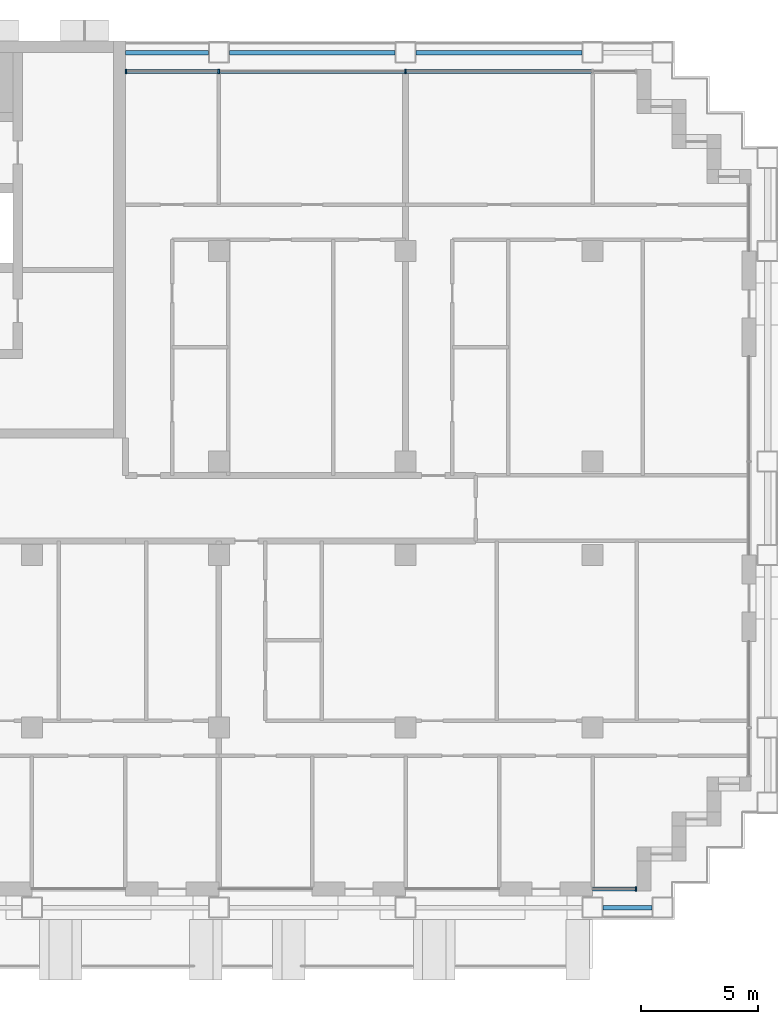
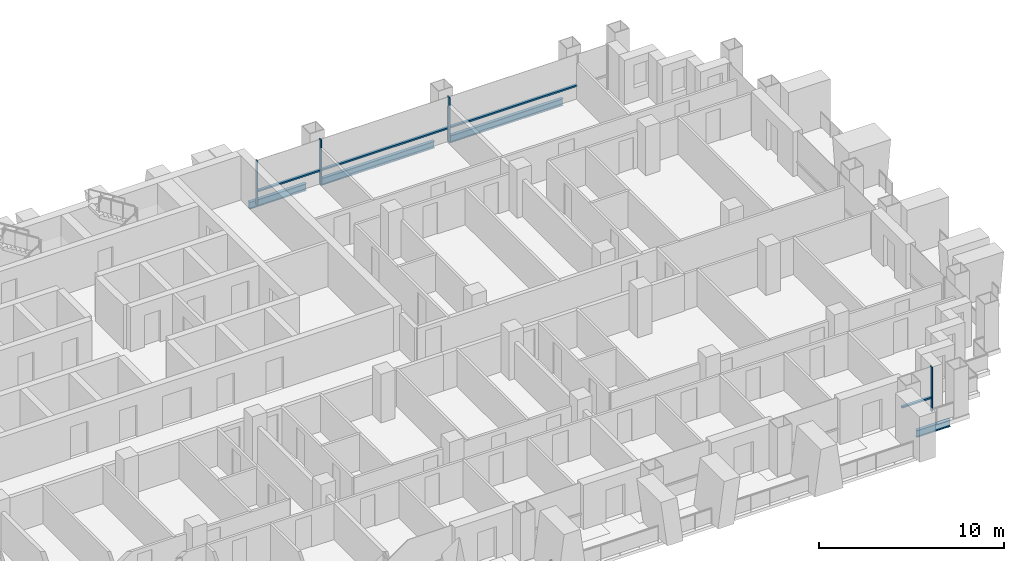
# One storey, part 5 of 18: 8 members, 4 beams, 2 elements without a shape of their own.
"""IFC4 building model written with IfcOpenShell, lengths in metres."""

from ifc_helpers import new_model, si_unit, direction, frame, origin, origin_2d, place, context, subcontext, project, spatial, rectangle, i_section, extrude, material, material_profile, profile_set, type_object, element, aggregate, save


model = new_model("IFC4")

# Units and contexts
model_context = context("Model", 3, precision=1e-05, world=origin(), true_north=direction((0.0, 1.0)))
body_context = subcontext(model_context, "Body", "Model", "MODEL_VIEW")
ifc_project = project(units=[si_unit("LENGTHUNIT", "METRE"), si_unit("AREAUNIT", "SQUARE_METRE"), si_unit("VOLUMEUNIT", "CUBIC_METRE"), si_unit("PLANEANGLEUNIT", "RADIAN"), si_unit("MASSUNIT", "GRAM", prefix="KILO")], contexts=[model_context])

# Site, building, storey
site_placement = place(None, origin())
site = spatial("IfcSite", under=ifc_project, at=site_placement, CompositionType="ELEMENT")
building_placement = place(site_placement, origin())
building = spatial("IfcBuilding", under=site, at=building_placement, Name="Vidyagriha Tower", CompositionType="ELEMENT")
storey_placement = place(building_placement, frame((0.0, 0.0, 90.300048828125)))
storey = spatial("IfcBuildingStorey", under=building, at=storey_placement, Name="L23", CompositionType="ELEMENT", Elevation=90.300048828125)

# Beams
ifc_material_1 = material(Name="Steel ASTM A992 Grade 50", Category="steel")
ifc_material_profile_1 = material_profile(ifc_material_1, i_section(OverallWidth=0.19189453125, OverallDepth=0.46240234375, WebThickness=0.010498046875, FlangeThickness=0.017578125, at=origin_2d()), Name="W18X60")
ifc_profile_set_1 = profile_set([ifc_material_profile_1], Name="Steel ASTM A992 Grade 50")
beam_type = type_object("IfcBeamType", Name="Edge beam W18X60", PredefinedType="SPANDREL", material=ifc_profile_set_1)
beam_1_placement = place(storey_placement, frame((34.449951171875, -17.10009765625, -0.51123046875), z_axis=(1.0, 0.0, 0.0), x_axis=(0.0, 1.0, 0.0)))
element("IfcBeam", 1, at=beam_1_placement, inside=storey, type_object=beam_type, Name="st-beam-L23-S09", PredefinedType="SPANDREL", context=body_context, shape_type="SweptSolid", body=[
    extrude(i_section(OverallWidth=0.19189453125, OverallDepth=0.46240234375, WebThickness=0.010498046875, FlangeThickness=0.017578125, at=origin_2d()), origin(), (0.0, 0.0, 1.0), 2.10009765625),
])
for number, where, z_axis, x_axis, name in (
    (2, (18.449951171875, 19.5, -0.51123046875), (1.0, 0.0, 0.0), (0.0, 1.0, 0.0), "st-beam-L23-NE21"),
    (3, (26.449951171875, 19.5, -0.51123046875), (1.0, 0.0, 0.0), (0.0, 1.0, 0.0), "st-beam-L23-NE22"),
):
    element("IfcBeam", number, at=place(storey_placement, frame(where, z_axis=z_axis, x_axis=x_axis)), inside=storey, type_object=beam_type, Name=name, PredefinedType="SPANDREL", context=body_context, shape_type="SweptSolid", body=[
        extrude(i_section(OverallWidth=0.19189453125, OverallDepth=0.46240234375, WebThickness=0.010498046875, FlangeThickness=0.017578125, at=origin_2d()), origin(), (0.0, 0.0, 1.0), 7.10009765625),
    ])
beam_2_placement = place(storey_placement, frame((14.0, 19.5, -0.51123046875), z_axis=(1.0, 0.0, 0.0), x_axis=(0.0, 1.0, 0.0)))
element("IfcBeam", 4, at=beam_2_placement, inside=storey, type_object=beam_type, Name="st-beam-L23-NC25", PredefinedType="SPANDREL", context=body_context, shape_type="SweptSolid", body=[
    extrude(i_section(OverallWidth=0.19189453125, OverallDepth=0.46240234375, WebThickness=0.010498046875, FlangeThickness=0.017578125, at=origin_2d()), origin(), (0.0, 0.0, 1.0), 3.550048828125),
])

# Curtain wall, members
ifc_material_2 = material(Name="Aluminium and glass curtain wall", Category="aluminium")
curtain_wall_type = type_object("IfcCurtainWallType", Name="Dwelling skin unitised curtain wall", PredefinedType="USERDEFINED", material=ifc_material_2)
curtain_wall_1_placement = place(storey_placement, origin())
curtain_wall_1 = element("IfcCurtainWall", 5, at=curtain_wall_1_placement, inside=storey, type_object=curtain_wall_type, Name="CW1 dwelling skin", ObjectType="UNITISED", PredefinedType="USERDEFINED")
ifc_material_3 = material(Name="Aluminium black anodised", Category="aluminium")
ifc_material_profile_2 = material_profile(ifc_material_3, rectangle(XDim=0.199951171875, YDim=0.070068359375, at=origin_2d()), Name="Mullion 70x200 black aluminium")
ifc_profile_set_2 = profile_set([ifc_material_profile_2], Name="Aluminium black anodised")
member_type_1 = type_object("IfcMemberType", Name="Mullion 70x200 black aluminium", PredefinedType="MULLION", material=ifc_profile_set_2)
member_1_placement = place(storey_placement, frame((26.0, 18.699951171875, 0.0), z_axis=(0.0, 0.0, 1.0), x_axis=(0.0, -1.0, 0.0)))
member_1 = element("IfcMember", 6, at=member_1_placement, type_object=member_type_1, Name="CW1 mullion 3", PredefinedType="MULLION", context=body_context, shape_type="SweptSolid", body=[
    extrude(rectangle(XDim=0.199951171875, YDim=0.070068359375, at=origin_2d()), origin(), (0.0, 0.0, 1.0), 2.919921875),
])
member_2_placement = place(storey_placement, frame((18.0, 18.699951171875, 0.0), z_axis=(0.0, 0.0, 1.0), x_axis=(0.0, -1.0, 0.0)))
member_2 = element("IfcMember", 7, at=member_2_placement, type_object=member_type_1, Name="CW1 mullion 4", PredefinedType="MULLION", context=body_context, shape_type="SweptSolid", body=[
    extrude(rectangle(XDim=0.199951171875, YDim=0.070068359375, at=origin_2d()), origin(), (0.0, 0.0, 1.0), 2.919921875),
])
member_3_placement = place(storey_placement, frame((14.034912109375, 18.699951171875, 0.0), z_axis=(0.0, 0.0, 1.0), x_axis=(0.0, -1.0, 0.0)))
member_3 = element("IfcMember", 8, at=member_3_placement, type_object=member_type_1, Name="CW1 mullion 5", PredefinedType="MULLION", context=body_context, shape_type="SweptSolid", body=[
    extrude(rectangle(XDim=0.199951171875, YDim=0.070068359375, at=origin_2d()), origin(), (0.0, 0.0, 1.0), 2.919921875),
])

# Curtain wall, member
curtain_wall_2_placement = place(storey_placement, origin())
curtain_wall_2 = element("IfcCurtainWall", 9, at=curtain_wall_2_placement, inside=storey, type_object=curtain_wall_type, Name="CW1 dwelling skin", ObjectType="UNITISED", PredefinedType="USERDEFINED")
member_4_placement = place(storey_placement, frame((35.864990234375, -16.300048828125, 0.0), z_axis=(0.0, 0.0, 1.0), x_axis=(0.0, 1.0, 0.0)))
member_4 = element("IfcMember", 10, at=member_4_placement, type_object=member_type_1, Name="CW1 mullion 2", PredefinedType="MULLION", context=body_context, shape_type="SweptSolid", body=[
    extrude(rectangle(XDim=0.199951171875, YDim=0.070068359375, at=origin_2d()), origin(), (0.0, 0.0, 1.0), 2.919921875),
])

# Member
ifc_material_4 = material(Name="Aluminium black anodised", Category="aluminium")
ifc_material_profile_3 = material_profile(ifc_material_4, rectangle(XDim=0.159912109375, YDim=0.10009765625, at=origin_2d()), Name="Transom 100x160 black aluminium")
ifc_profile_set_3 = profile_set([ifc_material_profile_3], Name="Aluminium black anodised")
member_type_2 = type_object("IfcMemberType", Name="Transom 100x160 black aluminium", PredefinedType="USERDEFINED", material=ifc_profile_set_3)
member_5_placement = place(storey_placement, frame((33.965087890625, 18.699951171875, 0.89990234375), z_axis=(-1.0, 0.0, 0.0), x_axis=(0.0, -1.0, 0.0)))
member_5 = element("IfcMember", 11, at=member_5_placement, type_object=member_type_2, Name="CW1 transom 2.1", ObjectType="TRANSOM", PredefinedType="USERDEFINED", context=body_context, shape_type="SweptSolid", body=[
    extrude(rectangle(XDim=0.159912109375, YDim=0.10009765625, at=origin_2d()), origin(), (0.0, 0.0, 1.0), 7.93017578125),
])

member_6_placement = place(storey_placement, frame((25.965087890625, 18.699951171875, 0.89990234375), z_axis=(-1.0, 0.0, 0.0), x_axis=(0.0, -1.0, 0.0)))
member_6 = element("IfcMember", 12, at=member_6_placement, type_object=member_type_2, Name="CW1 transom 3.1", ObjectType="TRANSOM", PredefinedType="USERDEFINED", context=body_context, shape_type="SweptSolid", body=[
    extrude(rectangle(XDim=0.159912109375, YDim=0.10009765625, at=origin_2d()), origin(), (0.0, 0.0, 1.0), 7.93017578125),
])

member_7_placement = place(storey_placement, frame((17.965087890625, 18.699951171875, 0.89990234375), z_axis=(-1.0, 0.0, 0.0), x_axis=(0.0, -1.0, 0.0)))
member_7 = element("IfcMember", 13, at=member_7_placement, type_object=member_type_2, Name="CW1 transom 4.1", ObjectType="TRANSOM", PredefinedType="USERDEFINED", context=body_context, shape_type="SweptSolid", body=[
    extrude(rectangle(XDim=0.159912109375, YDim=0.10009765625, at=origin_2d()), origin(), (0.0, 0.0, 1.0), 3.89501953125),
])

aggregate(curtain_wall_1, [member_1, member_2, member_3, member_5, member_6, member_7])

member_8_placement = place(storey_placement, frame((34.0, -16.300048828125, 0.89990234375), z_axis=(1.0, 0.0, 0.0), x_axis=(0.0, 1.0, 0.0)))
member_8 = element("IfcMember", 14, at=member_8_placement, type_object=member_type_2, Name="CW1 transom 1.1", ObjectType="TRANSOM", PredefinedType="USERDEFINED", context=body_context, shape_type="SweptSolid", body=[
    extrude(rectangle(XDim=0.159912109375, YDim=0.10009765625, at=origin_2d()), origin(), (0.0, 0.0, 1.0), 1.830078125),
])

aggregate(curtain_wall_2, [member_4, member_8])

save(model, "model.ifc")
